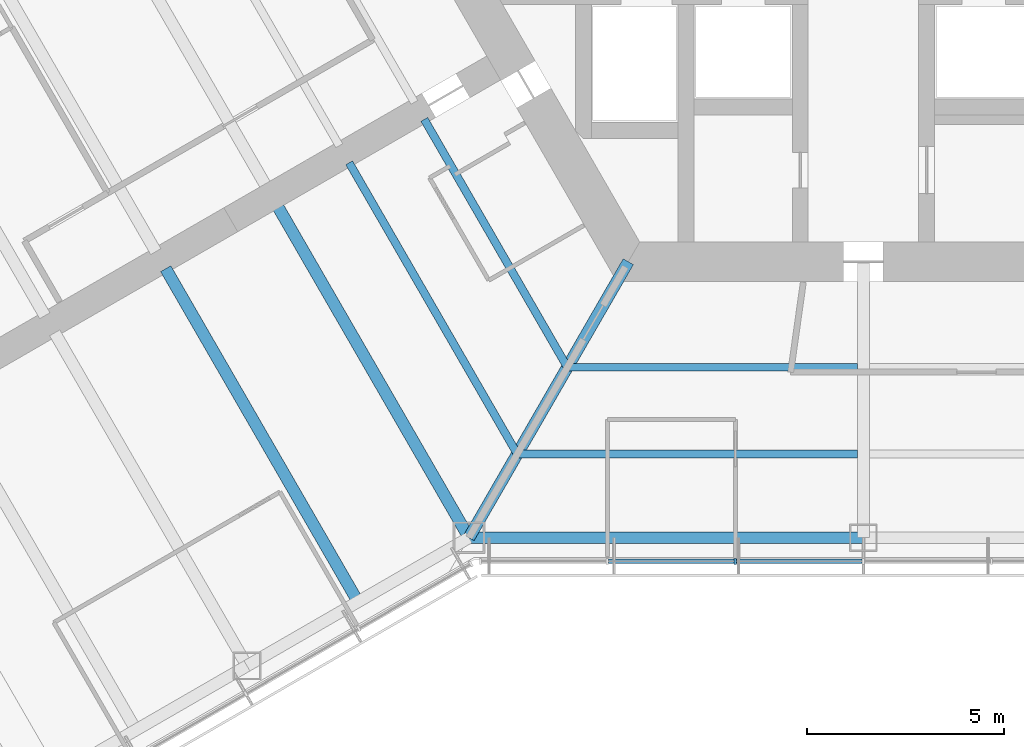
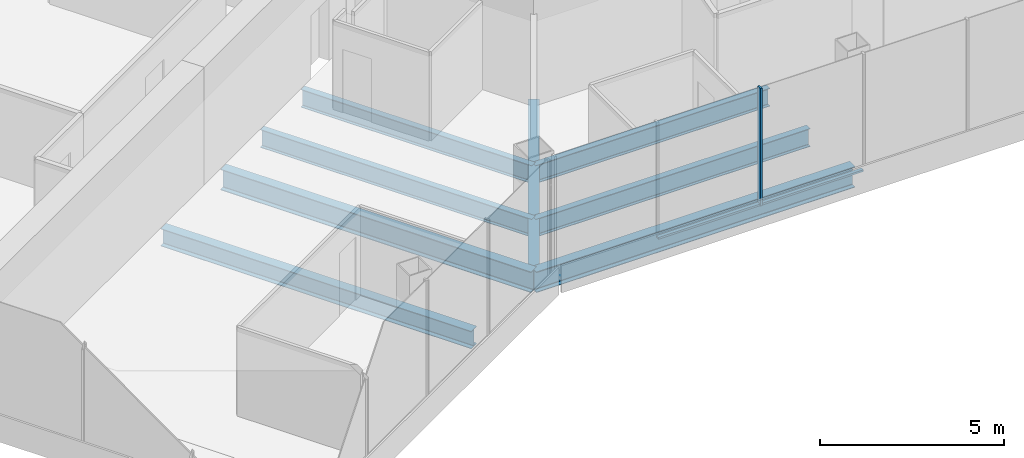
# One storey, part 3 of 18: 8 beams, 3 members, 1 element without a shape of its own.
"""IFC4 building model written with IfcOpenShell, lengths in metres."""

import ifcopenshell
import ifcopenshell.guid

model = None  # the IFC model being written
_history = None  # IfcOwnerHistory: only IFC2X3 demands one
_inside = {}  # id of a spatial element -> (the spatial element, [elements in it])
_under = {}  # id of a project, library or spatial element -> (it, [spatial elements below it])
_declared = {}  # id of a project -> (the project, [libraries it declares])
_typed = {}  # id of a type object -> (the type object, [elements of that type])
_made_of = {}  # id of a material, layer set ... -> (it, [elements and type objects made of it])


def new_model(schema):
    """Start an empty IFC model of exactly this schema.

    Asked for "IFC4X3", IfcOpenShell would pick the latest addendum, in which some entities
    have other attributes; the version numbers below select the first issue.
    IFC2X3 requires an IfcOwnerHistory on every rooted entity: one is made here for all.
    """
    global model, _history
    if schema == "IFC4X3":
        model = ifcopenshell.file(schema_version=(4, 3, 0, 0))
    else:
        model = ifcopenshell.file(schema=schema)
    _inside.clear()
    _under.clear()
    _declared.clear()
    _typed.clear()
    _made_of.clear()
    _history = None
    if model.schema == "IFC2X3":
        org = make("IfcOrganization", Name="unknown")
        user = make(
            "IfcPersonAndOrganization",
            ThePerson=make("IfcPerson", FamilyName="unknown"),
            TheOrganization=org,
        )
        app = make(
            "IfcApplication",
            ApplicationDeveloper=org,
            Version="unknown",
            ApplicationFullName="unknown",
            ApplicationIdentifier="unknown",
        )
        _history = make(
            "IfcOwnerHistory",
            OwningUser=user,
            OwningApplication=app,
            ChangeAction="ADDED",
            CreationDate=0,
        )
    return model


def make(cls, **values):
    """One entity of the class cls with the attributes given. An attribute that is None is left unset."""
    return model.create_entity(
        cls, **{name: value for name, value in values.items() if value is not None}
    )


def rooted(cls, **values):
    """An entity with a GlobalId (a new one), such as an element, a storey or a relation."""
    return make(cls, GlobalId=ifcopenshell.guid.new(), OwnerHistory=_history, **values)


def si_unit(unit_type, name, prefix=None):
    """IfcSIUnit, for example si_unit("LENGTHUNIT", "METRE", prefix="MILLI")."""
    return make("IfcSIUnit", UnitType=unit_type, Prefix=prefix, Name=name)


def assignment(units):
    """IfcUnitAssignment: the units of a project."""
    return None if units is None else make("IfcUnitAssignment", Units=units)


def point(xyz):
    """IfcCartesianPoint."""
    return None if xyz is None else make("IfcCartesianPoint", Coordinates=xyz)


def direction(xyz):
    """IfcDirection."""
    return None if xyz is None else make("IfcDirection", DirectionRatios=xyz)


def frame(location, z_axis=None, x_axis=None):
    """IfcAxis2Placement3D, a coordinate frame: its origin and axes. An axis left out is left unset."""
    return make(
        "IfcAxis2Placement3D",
        Location=point(location),
        Axis=direction(z_axis),
        RefDirection=direction(x_axis),
    )


def frame_2d(location, x_axis=None):
    """IfcAxis2Placement2D, a coordinate frame in the plane: its origin and x axis."""
    return make(
        "IfcAxis2Placement2D", Location=point(location), RefDirection=direction(x_axis)
    )


def origin():
    """The frame at (0, 0, 0) with its axes left unset."""
    return frame((0.0, 0.0, 0.0))


def origin_2d():
    """The frame at (0, 0) in the plane with its x axis left unset."""
    return frame_2d((0.0, 0.0))


def place(relative_to, where):
    """IfcLocalPlacement: puts the frame where relative to a parent placement (None: the world)."""
    return make(
        "IfcLocalPlacement", PlacementRelTo=relative_to, RelativePlacement=where
    )


def context(
    kind, dimensions, precision=None, world=None, true_north=None, identifier=None
):
    """IfcGeometricRepresentationContext, for example the 3D "Model" context."""
    return make(
        "IfcGeometricRepresentationContext",
        ContextIdentifier=identifier,
        ContextType=kind,
        CoordinateSpaceDimension=dimensions,
        Precision=precision,
        WorldCoordinateSystem=world,
        TrueNorth=true_north,
    )


def subcontext(parent, identifier, kind, view, scale=None):
    """IfcGeometricRepresentationSubContext, for example "Body" below "Model"."""
    return make(
        "IfcGeometricRepresentationSubContext",
        ContextIdentifier=identifier,
        ContextType=kind,
        ParentContext=parent,
        TargetScale=scale,
        TargetView=view,
    )


def project(units=None, contexts=None):
    """IfcProject with its units and contexts."""
    return rooted(
        "IfcProject",
        Name="project",
        RepresentationContexts=contexts,
        UnitsInContext=assignment(units),
    )


def spatial(cls, under=None, at=None, **own):
    """A site, building, storey or space (cls), placed at a placement, below another one or the project."""
    s = rooted(cls, ObjectPlacement=at, **own)
    if under is not None:
        _under.setdefault(under.id(), (under, []))[1].append(s)
    return s


def profile(cls, at=None, kind="AREA", **sizes):
    """A parametric profile (cls). Its sizes go by their IFC names, for example OverallWidth=200.0."""
    return make(cls, ProfileType=kind, Position=at, **sizes)


def rectangle(**sizes):
    """IfcRectangleProfileDef."""
    return profile("IfcRectangleProfileDef", **sizes)


def i_section(**sizes):
    """IfcIShapeProfileDef."""
    return profile("IfcIShapeProfileDef", **sizes)


def extrude(swept, where, along, depth):
    """IfcExtrudedAreaSolid: the profile swept, set in the frame where, extruded along a direction by depth."""
    return make(
        "IfcExtrudedAreaSolid",
        SweptArea=swept,
        Position=where,
        ExtrudedDirection=direction(along),
        Depth=depth,
    )


def shape(context_of_items, identifier, shape_type, items):
    """IfcShapeRepresentation: the items that make up one representation, for example the "Body"."""
    return make(
        "IfcShapeRepresentation",
        ContextOfItems=context_of_items,
        RepresentationIdentifier=identifier,
        RepresentationType=shape_type,
        Items=items,
    )


def material(Name=None, Category=None):
    """IfcMaterial."""
    return make("IfcMaterial", Name=Name, Category=Category)


def material_profile(
    of_material, cross_section, Name=None, Category=None, Priority=None
):
    """IfcMaterialProfile: a cross section and its material."""
    return make(
        "IfcMaterialProfile",
        Name=Name,
        Material=of_material,
        Profile=cross_section,
        Priority=Priority,
        Category=Category,
    )


def profile_set(profiles, Name=None, composite=None):
    """IfcMaterialProfileSet."""
    return make(
        "IfcMaterialProfileSet",
        Name=Name,
        MaterialProfiles=profiles,
        CompositeProfile=composite,
    )


def made_of(thing, what):
    """Note that an element or type object is made of a material, layer set ...; save() writes the relation."""
    if what is not None:
        _made_of.setdefault(what.id(), (what, []))[1].append(thing)
    return thing


def type_object(cls, material=None, **own):
    """A type object (cls), such as IfcWallType, which elements share."""
    return made_of(rooted(cls, **own), material)


def element(
    cls,
    number,
    at=None,
    inside=None,
    cuts=None,
    type_object=None,
    material=None,
    context=None,
    identifier="Body",
    shape_type=None,
    held_by="IfcProductDefinitionShape",
    body=None,
    shapes=None,
    **own,
):
    """One element of the class cls, such as IfcWall. Its Tag is "e" and its number.

    at: its placement. inside: the storey or other place that contains it. cuts: it is an
    opening in that element (IfcRelVoidsElement). A single representation is given by context,
    identifier, shape_type and body (its items); several are given by shapes. held_by: the class
    of the entity that holds the representations. save() writes the other relations.
    """
    e = rooted(cls, Tag="e%d" % number, ObjectPlacement=at, **own)
    if body is not None:
        shapes = [shape(context, identifier, shape_type, body)]
    if shapes is not None:
        e.Representation = make(held_by, Representations=shapes)
    if inside is not None:
        _inside.setdefault(inside.id(), (inside, []))[1].append(e)
    if cuts is not None:
        rooted(
            "IfcRelVoidsElement", RelatingBuildingElement=cuts, RelatedOpeningElement=e
        )
    if type_object is not None:
        _typed.setdefault(type_object.id(), (type_object, []))[1].append(e)
    return made_of(e, material)


def aggregate(whole, parts):
    """IfcRelAggregates: a whole, such as a stair, and the parts it consists of."""
    return rooted("IfcRelAggregates", RelatingObject=whole, RelatedObjects=parts)


def save(model, path):
    """Write the relations noted so far, then the file.

    IfcRelAggregates (storeys below a building ...), IfcRelContainedInSpatialStructure (elements
    in a storey), IfcRelDefinesByType, IfcRelAssociatesMaterial and IfcRelDeclares: one each for
    every whole, place, type object, material and project.
    """
    for whole, parts in _under.values():
        aggregate(whole, parts)
    for where, things in _inside.values():
        rooted(
            "IfcRelContainedInSpatialStructure",
            RelatedElements=things,
            RelatingStructure=where,
        )
    for kind, things in _typed.values():
        rooted("IfcRelDefinesByType", RelatedObjects=things, RelatingType=kind)
    for what, things in _made_of.values():
        rooted("IfcRelAssociatesMaterial", RelatedObjects=things, RelatingMaterial=what)
    for by, libraries in _declared.values():
        rooted("IfcRelDeclares", RelatingContext=by, RelatedDefinitions=libraries)
    model.write(path)


model = new_model("IFC4")

# Units and contexts
model_context = context("Model", 3, precision=1e-05, world=origin(), true_north=direction((0.0, 1.0)))
body_context = subcontext(model_context, "Body", "Model", "MODEL_VIEW")
ifc_project = project(units=[si_unit("LENGTHUNIT", "METRE"), si_unit("AREAUNIT", "SQUARE_METRE"), si_unit("VOLUMEUNIT", "CUBIC_METRE"), si_unit("PLANEANGLEUNIT", "RADIAN"), si_unit("MASSUNIT", "GRAM", prefix="KILO")], contexts=[model_context])

# Site, building, storey
site_placement = place(None, origin())
site = spatial("IfcSite", under=ifc_project, at=site_placement, CompositionType="ELEMENT")
building_placement = place(site_placement, origin())
building = spatial("IfcBuilding", under=site, at=building_placement, Name="Kasaneha Research Tower", CompositionType="ELEMENT")
storey_placement = place(building_placement, frame((0.0, 0.0, 140.89990234375)))
storey = spatial("IfcBuildingStorey", under=building, at=storey_placement, Name="L35", CompositionType="ELEMENT", Elevation=140.89990234375)

# Beams
ifc_material_1 = material(Name="Steel SN490B", Category="steel")
ifc_material_profile_1 = material_profile(ifc_material_1, i_section(OverallWidth=0.199951171875, OverallDepth=0.60009765625, WebThickness=0.010986328125, FlangeThickness=0.01708984375, FilletRadius=0.012939453125, at=origin_2d()), Name="H-600x200x11x17")
ifc_profile_set_1 = profile_set([ifc_material_profile_1], Name="Steel SN490B")
beam_type_1 = type_object("IfcBeamType", Name="B1-3 secondary beam H-600x200x11x17", PredefinedType="JOIST", material=ifc_profile_set_1)
beam_1_placement = place(storey_placement, frame((-7.505615234375, -13.0, -0.449951171875), z_axis=(-0.499993340521, 0.866029248602, 0.0), x_axis=(-0.866029248602, -0.499993340521, 0.0)))
element("IfcBeam", 1, at=beam_1_placement, inside=storey, type_object=beam_type_1, Name="Secondary beam RS210R1 L35", PredefinedType="JOIST", context=body_context, shape_type="SweptSolid", body=[
    extrude(i_section(OverallWidth=0.199951171875, OverallDepth=0.60009765625, WebThickness=0.010986328125, FlangeThickness=0.01708984375, FilletRadius=0.012939453125, at=origin_2d()), origin(), (0.0, 0.0, 1.0), 7.25537109375),
])
beam_2_placement = place(storey_placement, frame((-8.775634765625, -15.199951171875, -0.449951171875), z_axis=(-0.500004205306, 0.866022975836, 0.0), x_axis=(-0.866022975836, -0.500004205306, 0.0)))
element("IfcBeam", 2, at=beam_2_placement, inside=storey, type_object=beam_type_1, Name="Secondary beam RS210R2 L35", PredefinedType="JOIST", context=body_context, shape_type="SweptSolid", body=[
    extrude(i_section(OverallWidth=0.199951171875, OverallDepth=0.60009765625, WebThickness=0.010986328125, FlangeThickness=0.01708984375, FilletRadius=0.012939453125, at=origin_2d()), origin(), (0.0, 0.0, 1.0), 8.52587890625),
])
beam_3_placement = place(storey_placement, frame((-7.505615234375, -13.0, -0.449951171875), z_axis=(1.0, 0.0, 0.0), x_axis=(0.0, 1.0, 0.0)))
element("IfcBeam", 3, at=beam_3_placement, inside=storey, type_object=beam_type_1, Name="Secondary beam RS270L1 L35", PredefinedType="JOIST", context=body_context, shape_type="SweptSolid", body=[
    extrude(i_section(OverallWidth=0.199951171875, OverallDepth=0.60009765625, WebThickness=0.010986328125, FlangeThickness=0.01708984375, FilletRadius=0.012939453125, at=origin_2d()), origin(), (0.0, 0.0, 1.0), 7.355712890625),
])
beam_4_placement = place(storey_placement, frame((-8.775634765625, -15.199951171875, -0.449951171875), z_axis=(1.0, 0.0, 0.0), x_axis=(0.0, 1.0, 0.0)))
element("IfcBeam", 4, at=beam_4_placement, inside=storey, type_object=beam_type_1, Name="Secondary beam RS270L2 L35", PredefinedType="JOIST", context=body_context, shape_type="SweptSolid", body=[
    extrude(i_section(OverallWidth=0.199951171875, OverallDepth=0.60009765625, WebThickness=0.010986328125, FlangeThickness=0.01708984375, FilletRadius=0.012939453125, at=origin_2d()), origin(), (0.0, 0.0, 1.0), 8.625732421875),
])
ifc_material_2 = material(Name="Steel SN490B", Category="steel")
ifc_material_profile_2 = material_profile(ifc_material_2, i_section(OverallWidth=0.300048828125, OverallDepth=0.58203125, WebThickness=0.011962890625, FlangeThickness=0.01708984375, FilletRadius=0.012939453125, at=origin_2d()), Name="H-582x300x12x17")
ifc_profile_set_2 = profile_set([ifc_material_profile_2], Name="Steel SN490B")
beam_type_2 = type_object("IfcBeamType", Name="B2-3 secondary beam H-582x300x12x17", PredefinedType="JOIST", material=ifc_profile_set_2)
beam_5_placement = place(storey_placement, frame((-12.814697265625, -18.945556640625, -0.44091796875), z_axis=(-0.499995560238, 0.866027967067, 0.0), x_axis=(-0.866027967067, -0.499995560238, 0.0)))
element("IfcBeam", 5, at=beam_5_placement, inside=storey, type_object=beam_type_2, Name="Secondary beam WBBN1 L35", PredefinedType="JOIST", context=body_context, shape_type="SweptSolid", body=[
    extrude(i_section(OverallWidth=0.300048828125, OverallDepth=0.58203125, WebThickness=0.011962890625, FlangeThickness=0.01708984375, FilletRadius=0.012939453125, at=origin_2d()), origin(), (0.0, 0.0, 1.0), 9.75),
])

# Curtain wall, members
ifc_material_3 = material(Name="Glass and aluminium", Category="aluminium")
curtain_wall_type = type_object("IfcCurtainWallType", Name="Mid-rise office curtain wall", PredefinedType="USERDEFINED", material=ifc_material_3)
curtain_wall_placement = place(storey_placement, origin())
curtain_wall = element("IfcCurtainWall", 6, at=curtain_wall_placement, inside=storey, type_object=curtain_wall_type, Name="CW-O2 L35 run 01a", ObjectType="UNITISED CURTAIN WALL", PredefinedType="USERDEFINED")
ifc_material_4 = material(Name="Aluminium 6063-T6", Category="aluminium")
ifc_material_profile_3 = material_profile(ifc_material_4, rectangle(XDim=0.06005859375, YDim=0.14990234375, at=origin_2d()), Name="CW-O2 mullion 60x150")
ifc_profile_set_3 = profile_set([ifc_material_profile_3], Name="Aluminium 6063-T6")
member_type_1 = type_object("IfcMemberType", Name="CW-O2 mullion", PredefinedType="MULLION", material=ifc_profile_set_3)
member_1_placement = place(storey_placement, frame((-3.246337890625, -17.92041015625, 0.0), z_axis=(0.0, 0.0, 1.0), x_axis=(1.0, 0.0, 0.0)))
member_1 = element("IfcMember", 7, at=member_1_placement, type_object=member_type_1, Name="CW-O2 mullion 3", PredefinedType="MULLION", context=body_context, shape_type="SweptSolid", body=[
    extrude(rectangle(XDim=0.06005859375, YDim=0.14990234375, at=origin_2d()), origin(), (0.0, 0.0, 1.0), 3.900146484375),
])
ifc_material_5 = material(Name="Aluminium 6063-T6", Category="aluminium")
ifc_material_profile_4 = material_profile(ifc_material_5, rectangle(XDim=0.110107421875, YDim=0.06005859375, at=origin_2d()), Name="CW-O2 transom 110x60")
ifc_profile_set_4 = profile_set([ifc_material_profile_4], Name="Aluminium 6063-T6")
member_type_2 = type_object("IfcMemberType", Name="CW-O2 transom", PredefinedType="USERDEFINED", material=ifc_profile_set_4)
member_2_placement = place(storey_placement, frame((-6.462890625, -17.92041015625, 0.030029296875), z_axis=(1.0, 0.0, 0.0), x_axis=(0.0, 1.0, 0.0)))
member_2 = element("IfcMember", 8, at=member_2_placement, type_object=member_type_2, Name="CW-O2 transom 2", ObjectType="TRANSOM", PredefinedType="USERDEFINED", context=body_context, shape_type="SweptSolid", body=[
    extrude(rectangle(XDim=0.110107421875, YDim=0.06005859375, at=origin_2d()), origin(), (0.0, 0.0, 1.0), 3.1865234375),
])
member_3_placement = place(storey_placement, frame((-3.21630859375, -17.92041015625, 0.030029296875), z_axis=(1.0, 0.0, 0.0), x_axis=(0.0, 1.0, 0.0)))
member_3 = element("IfcMember", 9, at=member_3_placement, type_object=member_type_2, Name="CW-O2 transom 3", ObjectType="TRANSOM", PredefinedType="USERDEFINED", context=body_context, shape_type="SweptSolid", body=[
    extrude(rectangle(XDim=0.110107421875, YDim=0.06005859375, at=origin_2d()), origin(), (0.0, 0.0, 1.0), 3.186279296875),
])
aggregate(curtain_wall, [member_1, member_2, member_3])

# Beams
ifc_material_6 = material(Name="Steel SN490B", Category="steel")
ifc_material_profile_5 = material_profile(ifc_material_6, i_section(OverallWidth=0.300048828125, OverallDepth=0.699951171875, WebThickness=0.012939453125, FlangeThickness=0.02392578125, FilletRadius=0.01806640625, at=origin_2d()), Name="H-700x300x13x24")
ifc_profile_set_5 = profile_set([ifc_material_profile_5], Name="Steel SN490B")
beam_type_3 = type_object("IfcBeamType", Name="G1-3 radial girder H-700x300x13x24", PredefinedType="BEAM", material=ifc_profile_set_5)
beam_6_placement = place(storey_placement, frame((-5.961181640625, -10.324951171875, -0.5), z_axis=(-0.49999105496, -0.866030568144, 0.0), x_axis=(0.866030568144, -0.49999105496, 0.0)))
element("IfcBeam", 10, at=beam_6_placement, inside=storey, type_object=beam_type_3, Name="Radial girder RV240 L35", PredefinedType="BEAM", context=body_context, shape_type="SweptSolid", body=[
    extrude(i_section(OverallWidth=0.300048828125, OverallDepth=0.699951171875, WebThickness=0.012939453125, FlangeThickness=0.02392578125, FilletRadius=0.01806640625, at=origin_2d()), origin(), (0.0, 0.0, 1.0), 8.077880859375),
])
ifc_material_7 = material(Name="Steel SN490B", Category="steel")
ifc_material_profile_6 = material_profile(ifc_material_7, i_section(OverallWidth=0.300048828125, OverallDepth=0.69189453125, WebThickness=0.012939453125, FlangeThickness=0.02001953125, FilletRadius=0.01806640625, at=origin_2d()), Name="H-692x300x13x20")
ifc_profile_set_6 = profile_set([ifc_material_profile_6], Name="Steel SN490B")
beam_type_4 = type_object("IfcBeamType", Name="G3-3 plate edge girder H-692x300x13x20", PredefinedType="BEAM", material=ifc_profile_set_6)
beam_7_placement = place(storey_placement, frame((-10.0, -17.320556640625, -0.495849609375), z_axis=(-0.499995560238, 0.866027967067, 0.0), x_axis=(-0.866027967067, -0.499995560238, 0.0)))
element("IfcBeam", 11, at=beam_7_placement, inside=storey, type_object=beam_type_4, Name="Plate edge girder PEBN L35", PredefinedType="BEAM", context=body_context, shape_type="SweptSolid", body=[
    extrude(i_section(OverallWidth=0.300048828125, OverallDepth=0.69189453125, WebThickness=0.012939453125, FlangeThickness=0.02001953125, FilletRadius=0.01806640625, at=origin_2d()), origin(), (0.0, 0.0, 1.0), 9.75),
])
ifc_material_8 = material(Name="Steel SN490B", Category="steel")
ifc_material_profile_7 = material_profile(ifc_material_8, i_section(OverallWidth=0.300048828125, OverallDepth=0.69189453125, WebThickness=0.012939453125, FlangeThickness=0.02001953125, FilletRadius=0.01806640625, at=origin_2d()), Name="H-692x300x13x20")
ifc_profile_set_7 = profile_set([ifc_material_profile_7], Name="Steel SN490B")
beam_type_5 = type_object("IfcBeamType", Name="SB1-3 spandrel beam H-692x300x13x20", PredefinedType="SPANDREL", material=ifc_profile_set_7)
beam_8_placement = place(storey_placement, frame((-10.0, -17.320556640625, -0.495849609375), z_axis=(1.0, 0.0, 0.0), x_axis=(0.0, 1.0, 0.0)))
element("IfcBeam", 12, at=beam_8_placement, inside=storey, type_object=beam_type_5, Name="Spandrel beam SR270L L35", PredefinedType="SPANDREL", context=body_context, shape_type="SweptSolid", body=[
    extrude(i_section(OverallWidth=0.300048828125, OverallDepth=0.69189453125, WebThickness=0.012939453125, FlangeThickness=0.02001953125, FilletRadius=0.01806640625, at=origin_2d()), origin(), (0.0, 0.0, 1.0), 10.0),
])

save(model, "model.ifc")
